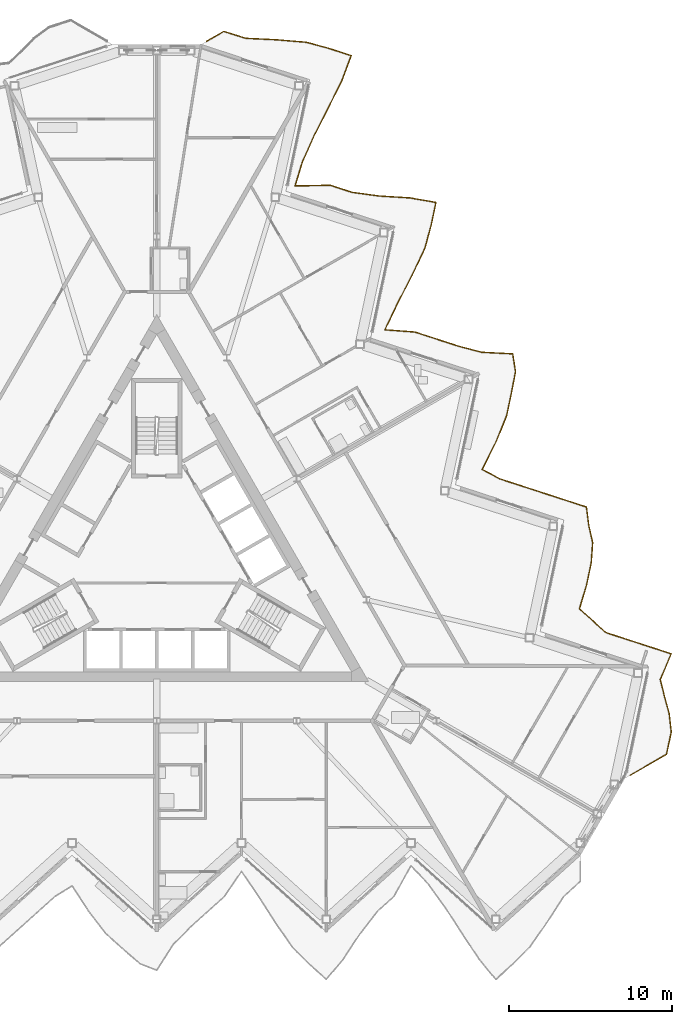
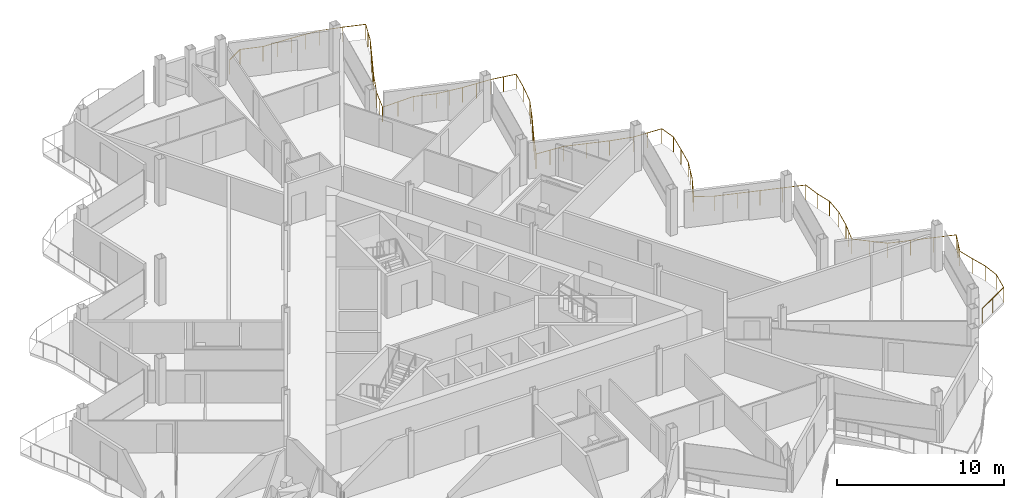
# One storey, part 25 of 27: 1 railing.
"""IFC4 building model written with IfcOpenShell, lengths in metres."""

from ifc_helpers import new_model, si_unit, direction, frame, origin, origin_2d, place, context, subcontext, project, spatial, circle, extrude, material, type_object, element, save


model = new_model("IFC4")

# Units and contexts
model_context = context("Model", 3, precision=1e-05, world=origin(), true_north=direction((0.0, 1.0)))
body_context = subcontext(model_context, "Body", "Model", "MODEL_VIEW")
ifc_project = project(units=[si_unit("LENGTHUNIT", "METRE"), si_unit("AREAUNIT", "SQUARE_METRE"), si_unit("VOLUMEUNIT", "CUBIC_METRE"), si_unit("PLANEANGLEUNIT", "RADIAN"), si_unit("MASSUNIT", "GRAM", prefix="KILO")], contexts=[model_context])

# Site, building, storey
site_placement = place(None, origin())
site = spatial("IfcSite", under=ifc_project, at=site_placement, CompositionType="ELEMENT")
building_placement = place(site_placement, origin())
building = spatial("IfcBuilding", under=site, at=building_placement, Name="Cormorant Prow Tower", CompositionType="ELEMENT")
storey_placement = place(building_placement, frame((0.0, 0.0, 361.0)))
storey = spatial("IfcBuildingStorey", under=building, at=storey_placement, Name="L80", CompositionType="ELEMENT", Elevation=361.0)

# Railing
ifc_material = material(Name="Aluminium 6063-T6", Category="aluminium")
railing_type = type_object("IfcRailingType", Name="Balcony guard 1100", PredefinedType="GUARDRAIL", material=ifc_material)
railing_placement = place(storey_placement, frame((29.0537109375, -13.248046875, 0.0)))
element("IfcRailing", 1, at=railing_placement, inside=storey, type_object=railing_type, Name="Balcony guard ENE", PredefinedType="GUARDRAIL", context=body_context, shape_type="SweptSolid", body=[
    extrude(circle(Radius=0.02392578125, at=origin_2d()), frame((0.0, 0.0, 1.076171875), z_axis=(0.866013163002, 0.500021201058, 0.0), x_axis=(-0.500021201058, 0.866013163002, 0.0)), (0.0, 0.0, 1.0), 2.5703125),
    extrude(circle(Radius=0.02392578125, at=origin_2d()), frame((2.225830078125, 1.28515625, 1.076171875), z_axis=(0.207944297815, 0.978140669335, 0.0), x_axis=(-0.978140669335, 0.207944297815, 0.0)), (0.0, 0.0, 1.0), 1.3994140625),
    extrude(circle(Radius=0.02392578125, at=origin_2d()), frame((2.516845703125, 2.654052734375, 1.076171875), z_axis=(-0.111446863874, 0.993770394273, 0.0), x_axis=(-0.993770394273, -0.111446863874, 0.0)), (0.0, 0.0, 1.0), 1.134765625),
    extrude(circle(Radius=0.02392578125, at=origin_2d()), frame((2.390380859375, 3.78173828125, 1.076171875), z_axis=(-0.265499582895, 0.964110974672, 0.0), x_axis=(-0.964110974672, -0.265499582895, 0.0)), (0.0, 0.0, 1.0), 1.074951171875),
    extrude(circle(Radius=0.02392578125, at=origin_2d()), frame((2.10498046875, 4.818115234375, 1.076171875), z_axis=(-0.240465072316, 0.97065779191, 0.0), x_axis=(-0.97065779191, -0.240465072316, 0.0)), (0.0, 0.0, 1.0), 1.082275390625),
    extrude(circle(Radius=0.02392578125, at=origin_2d()), frame((1.8447265625, 5.86865234375, 1.076171875), z_axis=(0.387606456265, 0.921824948166, 0.0), x_axis=(-0.921824948166, 0.387606456265, 0.0)), (0.0, 0.0, 1.0), 1.72021484375),
    extrude(circle(Radius=0.02392578125, at=origin_2d()), frame((2.511474609375, 7.454345703125, 1.076171875), z_axis=(-0.951028941009, 0.309101849499, 0.0), x_axis=(-0.309101849499, -0.951028941009, 0.0)), (0.0, 0.0, 1.0), 1.399658203125),
    extrude(circle(Radius=0.02392578125, at=origin_2d()), frame((1.180419921875, 7.886962890625, 1.076171875), z_axis=(-0.951063554534, 0.308995332064, 0.0), x_axis=(-0.308995332064, -0.951063554534, 0.0)), (0.0, 0.0, 1.0), 1.399169921875),
    extrude(circle(Radius=0.02392578125, at=origin_2d()), frame((-0.150390625, 8.3193359375, 1.076171875), z_axis=(-0.951028941009, 0.309101849499, 0.0), x_axis=(-0.309101849499, -0.951028941009, 0.0)), (0.0, 0.0, 1.0), 1.399658203125),
    extrude(circle(Radius=0.02392578125, at=origin_2d()), frame((-1.4814453125, 8.751953125, 1.076171875), z_axis=(-0.748465004578, 0.663174288496, 0.0), x_axis=(-0.663174288496, -0.748465004578, 0.0)), (0.0, 0.0, 1.0), 1.096435546875),
    extrude(circle(Radius=0.02392578125, at=origin_2d()), frame((-2.302001953125, 9.47900390625, 1.076171875), z_axis=(-0.746510864736, 0.665373225213, 0.0), x_axis=(-0.665373225213, -0.746510864736, 0.0)), (0.0, 0.0, 1.0), 1.09521484375),
    extrude(circle(Radius=0.02392578125, at=origin_2d()), frame((-3.11962890625, 10.207763671875, 1.076171875), z_axis=(0.287746499695, 0.957706610562, 0.0), x_axis=(-0.957706610562, 0.287746499695, 0.0)), (0.0, 0.0, 1.0), 1.51708984375),
    extrude(circle(Radius=0.02392578125, at=origin_2d()), frame((-2.68310546875, 11.66064453125, 1.076171875), z_axis=(0.20777738218, 0.978176139279, 0.0), x_axis=(-0.978176139279, 0.20777738218, 0.0)), (0.0, 0.0, 1.0), 1.3994140625),
    extrude(circle(Radius=0.02392578125, at=origin_2d()), frame((-2.392333984375, 13.029541015625, 1.076171875), z_axis=(0.06930989136, 0.997595177895, 0.0), x_axis=(-0.997595177895, 0.06930989136, 0.0)), (0.0, 0.0, 1.0), 1.25390625),
    extrude(circle(Radius=0.02392578125, at=origin_2d()), frame((-2.305419921875, 14.280517578125, 1.076171875), z_axis=(-0.222057343381, 0.975033607754, 0.0), x_axis=(-0.975033607754, -0.222057343381, 0.0)), (0.0, 0.0, 1.0), 1.08837890625),
    extrude(circle(Radius=0.02392578125, at=origin_2d()), frame((-2.547119140625, 15.341796875, 1.076171875), z_axis=(-0.125286334102, 0.992120624968, 0.0), x_axis=(-0.992120624968, -0.125286334102, 0.0)), (0.0, 0.0, 1.0), 1.128173828125),
    extrude(circle(Radius=0.02392578125, at=origin_2d()), frame((-2.6884765625, 16.461181640625, 1.076171875), z_axis=(-0.951080208938, 0.308944066403, 0.0), x_axis=(-0.308944066403, -0.951080208938, 0.0)), (0.0, 0.0, 1.0), 1.3994140625),
    extrude(circle(Radius=0.02392578125, at=origin_2d()), frame((-4.01953125, 16.8935546875, 1.076171875), z_axis=(-0.951063554534, 0.308995332064, 0.0), x_axis=(-0.308995332064, -0.951063554534, 0.0)), (0.0, 0.0, 1.0), 1.399169921875),
    extrude(circle(Radius=0.02392578125, at=origin_2d()), frame((-5.350341796875, 17.325927734375, 1.076171875), z_axis=(-0.951028941009, 0.309101849499, 0.0), x_axis=(-0.309101849499, -0.951028941009, 0.0)), (0.0, 0.0, 1.0), 1.399658203125),
    extrude(circle(Radius=0.02392578125, at=origin_2d()), frame((-6.681396484375, 17.758544921875, 1.076171875), z_axis=(-0.951080208938, 0.308944066403, 0.0), x_axis=(-0.308944066403, -0.951080208938, 0.0)), (0.0, 0.0, 1.0), 1.3994140625),
    extrude(circle(Radius=0.02392578125, at=origin_2d()), frame((-8.012451171875, 18.19091796875, 1.076171875), z_axis=(-0.880259311771, 0.474492933604, 0.0), x_axis=(-0.474492933604, -0.880259311771, 0.0)), (0.0, 0.0, 1.0), 1.221923828125),
    extrude(circle(Radius=0.02392578125, at=origin_2d()), frame((-9.088134765625, 18.770751953125, 1.076171875), z_axis=(0.451012966312, 0.892517397152, 0.0), x_axis=(-0.892517397152, 0.451012966312, 0.0)), (0.0, 0.0, 1.0), 1.89990234375),
    extrude(circle(Radius=0.02392578125, at=origin_2d()), frame((-8.231201171875, 20.466552734375, 1.076171875), z_axis=(0.377022296737, 0.926204182545, 0.0), x_axis=(-0.926204182545, 0.377022296737, 0.0)), (0.0, 0.0, 1.0), 1.694580078125),
    extrude(circle(Radius=0.02392578125, at=origin_2d()), frame((-7.59228515625, 22.0361328125, 1.076171875), z_axis=(0.207944297815, 0.978140669335, 0.0), x_axis=(-0.978140669335, 0.207944297815, 0.0)), (0.0, 0.0, 1.0), 1.3994140625),
    extrude(circle(Radius=0.02392578125, at=origin_2d()), frame((-7.30126953125, 23.405029296875, 1.076171875), z_axis=(0.18928822306, 0.98192156948, 0.0), x_axis=(-0.98192156948, 0.18928822306, 0.0)), (0.0, 0.0, 1.0), 1.376220703125),
    extrude(circle(Radius=0.02392578125, at=origin_2d()), frame((-7.040771484375, 24.75634765625, 1.076171875), z_axis=(-0.150874046864, 0.988552994018, 0.0), x_axis=(-0.988552994018, -0.150874046864, 0.0)), (0.0, 0.0, 1.0), 1.116455078125),
    extrude(circle(Radius=0.02392578125, at=origin_2d()), frame((-7.209228515625, 25.860107421875, 1.076171875), z_axis=(-0.998752021132, 0.049943971461, 0.0), x_axis=(-0.049943971461, -0.998752021132, 0.0)), (0.0, 0.0, 1.0), 1.916259765625),
    extrude(circle(Radius=0.02392578125, at=origin_2d()), frame((-9.123046875, 25.955810546875, 1.076171875), z_axis=(-0.966847067746, 0.255356119158, 0.0), x_axis=(-0.255356119158, -0.966847067746, 0.0)), (0.0, 0.0, 1.0), 1.47607421875),
    extrude(circle(Radius=0.02392578125, at=origin_2d()), frame((-10.55029296875, 26.332763671875, 1.076171875), z_axis=(-0.951080208938, 0.308944066403, 0.0), x_axis=(-0.308944066403, -0.951080208938, 0.0)), (0.0, 0.0, 1.0), 1.3994140625),
    extrude(circle(Radius=0.02392578125, at=origin_2d()), frame((-11.88134765625, 26.76513671875, 1.076171875), z_axis=(-0.951080208938, 0.308944066403, 0.0), x_axis=(-0.308944066403, -0.951080208938, 0.0)), (0.0, 0.0, 1.0), 1.3994140625),
    extrude(circle(Radius=0.02392578125, at=origin_2d()), frame((-13.21240234375, 27.197509765625, 1.076171875), z_axis=(-0.997206453657, 0.074694636924, 0.0), x_axis=(-0.074694636924, -0.997206453657, 0.0)), (0.0, 0.0, 1.0), 1.8466796875),
    extrude(circle(Radius=0.02392578125, at=origin_2d()), frame((-15.053955078125, 27.33544921875, 1.076171875), z_axis=(0.434157433131, 0.900837012593, 0.0), x_axis=(-0.900837012593, 0.434157433131, 0.0)), (0.0, 0.0, 1.0), 1.8466796875),
    extrude(circle(Radius=0.02392578125, at=origin_2d()), frame((-14.252197265625, 28.9990234375, 1.076171875), z_axis=(0.457304922398, 0.889309961684, 0.0), x_axis=(-0.889309961684, 0.457304922398, 0.0)), (0.0, 0.0, 1.0), 1.92041015625),
    extrude(circle(Radius=0.02392578125, at=origin_2d()), frame((-13.3740234375, 30.706787109375, 1.076171875), z_axis=(0.427552298794, 0.903990614883, 0.0), x_axis=(-0.903990614883, 0.427552298794, 0.0)), (0.0, 0.0, 1.0), 1.827880859375),
    extrude(circle(Radius=0.02392578125, at=origin_2d()), frame((-12.592529296875, 32.359130859375, 1.076171875), z_axis=(0.259747429895, 0.965676588027, 0.0), x_axis=(-0.965676588027, 0.259747429895, 0.0)), (0.0, 0.0, 1.0), 1.471923828125),
    extrude(circle(Radius=0.02392578125, at=origin_2d()), frame((-12.210205078125, 33.780517578125, 1.076171875), z_axis=(0.20777738218, 0.978176139279, 0.0), x_axis=(-0.978176139279, 0.20777738218, 0.0)), (0.0, 0.0, 1.0), 1.3994140625),
    extrude(circle(Radius=0.02392578125, at=origin_2d()), frame((-11.91943359375, 35.1494140625, 1.076171875), z_axis=(-0.985103249927, 0.171963911864, 0.0), x_axis=(-0.171963911864, -0.985103249927, 0.0)), (0.0, 0.0, 1.0), 1.621337890625),
    extrude(circle(Radius=0.02392578125, at=origin_2d()), frame((-13.5166015625, 35.42822265625, 1.076171875), z_axis=(-0.998135869432, 0.061031026159, 0.0), x_axis=(-0.061031026159, -0.998135869432, 0.0)), (0.0, 0.0, 1.0), 1.884033203125),
    extrude(circle(Radius=0.02392578125, at=origin_2d()), frame((-15.397216796875, 35.543212890625, 1.076171875), z_axis=(-0.990919116289, 0.134459306009, 0.0), x_axis=(-0.134459306009, -0.990919116289, 0.0)), (0.0, 0.0, 1.0), 1.699462890625),
    extrude(circle(Radius=0.02392578125, at=origin_2d()), frame((-17.081298828125, 35.771728515625, 1.076171875), z_axis=(-0.951028941009, 0.309101849499, 0.0), x_axis=(-0.309101849499, -0.951028941009, 0.0)), (0.0, 0.0, 1.0), 1.399658203125),
    extrude(circle(Radius=0.02392578125, at=origin_2d()), frame((-18.412353515625, 36.204345703125, 1.076171875), z_axis=(-0.99980550603, -0.019721818167, 0.0), x_axis=(0.019721818167, -0.99980550603, 0.0)), (0.0, 0.0, 1.0), 2.154052734375),
    extrude(circle(Radius=0.02392578125, at=origin_2d()), frame((-20.56591796875, 36.161865234375, 1.076171875), z_axis=(0.292104612401, 0.956386373499, 0.0), x_axis=(-0.956386373499, 0.292104612401, 0.0)), (0.0, 0.0, 1.0), 1.5244140625),
    extrude(circle(Radius=0.02392578125, at=origin_2d()), frame((-20.12060546875, 37.619873046875, 1.076171875), z_axis=(0.406509843318, 0.913646401671, 0.0), x_axis=(-0.913646401671, 0.406509843318, 0.0)), (0.0, 0.0, 1.0), 1.768798828125),
    extrude(circle(Radius=0.02392578125, at=origin_2d()), frame((-19.401611328125, 39.23583984375, 1.076171875), z_axis=(0.453699663288, 0.891154652982, 0.0), x_axis=(-0.891154652982, 0.453699663288, 0.0)), (0.0, 0.0, 1.0), 1.90869140625),
    extrude(circle(Radius=0.02392578125, at=origin_2d()), frame((-18.53564453125, 40.936767578125, 1.076171875), z_axis=(0.4472135955, 0.894427191, 0.0), x_axis=(-0.894427191, 0.4472135955, 0.0)), (0.0, 0.0, 1.0), 1.88720703125),
    extrude(circle(Radius=0.02392578125, at=origin_2d()), frame((-17.691650390625, 42.624755859375, 1.076171875), z_axis=(0.350026759088, 0.936739701263, 0.0), x_axis=(-0.936739701263, 0.350026759088, 0.0)), (0.0, 0.0, 1.0), 1.635009765625),
    extrude(circle(Radius=0.02392578125, at=origin_2d()), frame((-17.119384765625, 44.15625, 1.076171875), z_axis=(-0.951063554534, 0.308995332064, 0.0), x_axis=(-0.308995332064, -0.951063554534, 0.0)), (0.0, 0.0, 1.0), 1.399169921875),
    extrude(circle(Radius=0.02392578125, at=origin_2d()), frame((-18.4501953125, 44.588623046875, 1.076171875), z_axis=(-0.964404650795, 0.264430840723, 0.0), x_axis=(-0.264430840723, -0.964404650795, 0.0)), (0.0, 0.0, 1.0), 1.46240234375),
    extrude(circle(Radius=0.02392578125, at=origin_2d()), frame((-19.860595703125, 44.975341796875, 1.076171875), z_axis=(-0.996499406078, 0.083599842618, 0.0), x_axis=(-0.083599842618, -0.996499406078, 0.0)), (0.0, 0.0, 1.0), 1.822265625),
    extrude(circle(Radius=0.02392578125, at=origin_2d()), frame((-21.676513671875, 45.127685546875, 1.076171875), z_axis=(-0.998807214083, 0.048827749231, 0.0), x_axis=(-0.048827749231, -0.998807214083, 0.0)), (0.0, 0.0, 1.0), 1.919921875),
    extrude(circle(Radius=0.02392578125, at=origin_2d()), frame((-23.59423828125, 45.221435546875, 1.076171875), z_axis=(-0.954424643559, 0.298452005803, 0.0), x_axis=(-0.298452005803, -0.954424643559, 0.0)), (0.0, 0.0, 1.0), 1.41357421875),
    extrude(circle(Radius=0.02392578125, at=origin_2d()), frame((-24.943359375, 45.643310546875, 1.076171875), z_axis=(-0.866092288191, -0.499884134912, 0.0), x_axis=(0.499884134912, -0.866092288191, 0.0)), (0.0, 0.0, 1.0), 1.219970703125),
    extrude(circle(Radius=0.02099609375, at=origin_2d()), origin(), (0.0, 0.0, 1.0), 1.052001953125),
    extrude(circle(Radius=0.02099609375, at=origin_2d()), frame((1.11279296875, 0.642578125, 0.0)), (0.0, 0.0, 1.0), 1.052001953125),
    extrude(circle(Radius=0.02099609375, at=origin_2d()), frame((2.225830078125, 1.28515625, 0.0)), (0.0, 0.0, 1.0), 1.052001953125),
    extrude(circle(Radius=0.02099609375, at=origin_2d()), frame((2.516845703125, 2.654052734375, 0.0)), (0.0, 0.0, 1.0), 1.052001953125),
    extrude(circle(Radius=0.02099609375, at=origin_2d()), frame((2.390380859375, 3.78173828125, 0.0)), (0.0, 0.0, 1.0), 1.052001953125),
    extrude(circle(Radius=0.02099609375, at=origin_2d()), frame((2.10498046875, 4.818115234375, 0.0)), (0.0, 0.0, 1.0), 1.052001953125),
    extrude(circle(Radius=0.02099609375, at=origin_2d()), frame((1.8447265625, 5.86865234375, 0.0)), (0.0, 0.0, 1.0), 1.052001953125),
    extrude(circle(Radius=0.02099609375, at=origin_2d()), frame((2.17822265625, 6.66162109375, 0.0)), (0.0, 0.0, 1.0), 1.052001953125),
    extrude(circle(Radius=0.02099609375, at=origin_2d()), frame((2.511474609375, 7.454345703125, 0.0)), (0.0, 0.0, 1.0), 1.052001953125),
    extrude(circle(Radius=0.02099609375, at=origin_2d()), frame((1.180419921875, 7.886962890625, 0.0)), (0.0, 0.0, 1.0), 1.052001953125),
    extrude(circle(Radius=0.02099609375, at=origin_2d()), frame((-0.150390625, 8.3193359375, 0.0)), (0.0, 0.0, 1.0), 1.052001953125),
    extrude(circle(Radius=0.02099609375, at=origin_2d()), frame((-1.4814453125, 8.751953125, 0.0)), (0.0, 0.0, 1.0), 1.052001953125),
    extrude(circle(Radius=0.02099609375, at=origin_2d()), frame((-2.302001953125, 9.47900390625, 0.0)), (0.0, 0.0, 1.0), 1.052001953125),
    extrude(circle(Radius=0.02099609375, at=origin_2d()), frame((-3.11962890625, 10.207763671875, 0.0)), (0.0, 0.0, 1.0), 1.052001953125),
    extrude(circle(Radius=0.02099609375, at=origin_2d()), frame((-2.9013671875, 10.93408203125, 0.0)), (0.0, 0.0, 1.0), 1.052001953125),
    extrude(circle(Radius=0.02099609375, at=origin_2d()), frame((-2.68310546875, 11.66064453125, 0.0)), (0.0, 0.0, 1.0), 1.052001953125),
    extrude(circle(Radius=0.02099609375, at=origin_2d()), frame((-2.392333984375, 13.029541015625, 0.0)), (0.0, 0.0, 1.0), 1.052001953125),
    extrude(circle(Radius=0.02099609375, at=origin_2d()), frame((-2.305419921875, 14.280517578125, 0.0)), (0.0, 0.0, 1.0), 1.052001953125),
    extrude(circle(Radius=0.02099609375, at=origin_2d()), frame((-2.547119140625, 15.341796875, 0.0)), (0.0, 0.0, 1.0), 1.052001953125),
    extrude(circle(Radius=0.02099609375, at=origin_2d()), frame((-2.6884765625, 16.461181640625, 0.0)), (0.0, 0.0, 1.0), 1.052001953125),
    extrude(circle(Radius=0.02099609375, at=origin_2d()), frame((-4.01953125, 16.8935546875, 0.0)), (0.0, 0.0, 1.0), 1.052001953125),
    extrude(circle(Radius=0.02099609375, at=origin_2d()), frame((-5.350341796875, 17.325927734375, 0.0)), (0.0, 0.0, 1.0), 1.052001953125),
    extrude(circle(Radius=0.02099609375, at=origin_2d()), frame((-6.681396484375, 17.758544921875, 0.0)), (0.0, 0.0, 1.0), 1.052001953125),
    extrude(circle(Radius=0.02099609375, at=origin_2d()), frame((-8.012451171875, 18.19091796875, 0.0)), (0.0, 0.0, 1.0), 1.052001953125),
    extrude(circle(Radius=0.02099609375, at=origin_2d()), frame((-9.088134765625, 18.770751953125, 0.0)), (0.0, 0.0, 1.0), 1.052001953125),
    extrude(circle(Radius=0.02099609375, at=origin_2d()), frame((-8.65966796875, 19.61865234375, 0.0)), (0.0, 0.0, 1.0), 1.052001953125),
    extrude(circle(Radius=0.02099609375, at=origin_2d()), frame((-8.231201171875, 20.466552734375, 0.0)), (0.0, 0.0, 1.0), 1.052001953125),
    extrude(circle(Radius=0.02099609375, at=origin_2d()), frame((-7.91162109375, 21.25146484375, 0.0)), (0.0, 0.0, 1.0), 1.052001953125),
    extrude(circle(Radius=0.02099609375, at=origin_2d()), frame((-7.59228515625, 22.0361328125, 0.0)), (0.0, 0.0, 1.0), 1.052001953125),
    extrude(circle(Radius=0.02099609375, at=origin_2d()), frame((-7.30126953125, 23.405029296875, 0.0)), (0.0, 0.0, 1.0), 1.052001953125),
    extrude(circle(Radius=0.02099609375, at=origin_2d()), frame((-7.040771484375, 24.75634765625, 0.0)), (0.0, 0.0, 1.0), 1.052001953125),
    extrude(circle(Radius=0.02099609375, at=origin_2d()), frame((-7.209228515625, 25.860107421875, 0.0)), (0.0, 0.0, 1.0), 1.052001953125),
    extrude(circle(Radius=0.02099609375, at=origin_2d()), frame((-8.166015625, 25.907958984375, 0.0)), (0.0, 0.0, 1.0), 1.052001953125),
    extrude(circle(Radius=0.02099609375, at=origin_2d()), frame((-9.123046875, 25.955810546875, 0.0)), (0.0, 0.0, 1.0), 1.052001953125),
    extrude(circle(Radius=0.02099609375, at=origin_2d()), frame((-10.55029296875, 26.332763671875, 0.0)), (0.0, 0.0, 1.0), 1.052001953125),
    extrude(circle(Radius=0.02099609375, at=origin_2d()), frame((-11.88134765625, 26.76513671875, 0.0)), (0.0, 0.0, 1.0), 1.052001953125),
    extrude(circle(Radius=0.02099609375, at=origin_2d()), frame((-13.21240234375, 27.197509765625, 0.0)), (0.0, 0.0, 1.0), 1.052001953125),
    extrude(circle(Radius=0.02099609375, at=origin_2d()), frame((-14.13330078125, 27.2666015625, 0.0)), (0.0, 0.0, 1.0), 1.052001953125),
    extrude(circle(Radius=0.02099609375, at=origin_2d()), frame((-15.053955078125, 27.33544921875, 0.0)), (0.0, 0.0, 1.0), 1.052001953125),
    extrude(circle(Radius=0.02099609375, at=origin_2d()), frame((-14.653076171875, 28.167236328125, 0.0)), (0.0, 0.0, 1.0), 1.052001953125),
    extrude(circle(Radius=0.02099609375, at=origin_2d()), frame((-14.252197265625, 28.9990234375, 0.0)), (0.0, 0.0, 1.0), 1.052001953125),
    extrude(circle(Radius=0.02099609375, at=origin_2d()), frame((-13.81298828125, 29.85302734375, 0.0)), (0.0, 0.0, 1.0), 1.052001953125),
    extrude(circle(Radius=0.02099609375, at=origin_2d()), frame((-13.3740234375, 30.706787109375, 0.0)), (0.0, 0.0, 1.0), 1.052001953125),
    extrude(circle(Radius=0.02099609375, at=origin_2d()), frame((-12.9833984375, 31.532958984375, 0.0)), (0.0, 0.0, 1.0), 1.052001953125),
    extrude(circle(Radius=0.02099609375, at=origin_2d()), frame((-12.592529296875, 32.359130859375, 0.0)), (0.0, 0.0, 1.0), 1.052001953125),
    extrude(circle(Radius=0.02099609375, at=origin_2d()), frame((-12.210205078125, 33.780517578125, 0.0)), (0.0, 0.0, 1.0), 1.052001953125),
    extrude(circle(Radius=0.02099609375, at=origin_2d()), frame((-11.91943359375, 35.1494140625, 0.0)), (0.0, 0.0, 1.0), 1.052001953125),
    extrude(circle(Radius=0.02099609375, at=origin_2d()), frame((-12.718017578125, 35.288818359375, 0.0)), (0.0, 0.0, 1.0), 1.052001953125),
    extrude(circle(Radius=0.02099609375, at=origin_2d()), frame((-13.5166015625, 35.42822265625, 0.0)), (0.0, 0.0, 1.0), 1.052001953125),
    extrude(circle(Radius=0.02099609375, at=origin_2d()), frame((-14.45703125, 35.48583984375, 0.0)), (0.0, 0.0, 1.0), 1.052001953125),
    extrude(circle(Radius=0.02099609375, at=origin_2d()), frame((-15.397216796875, 35.543212890625, 0.0)), (0.0, 0.0, 1.0), 1.052001953125),
    extrude(circle(Radius=0.02099609375, at=origin_2d()), frame((-16.2392578125, 35.657470703125, 0.0)), (0.0, 0.0, 1.0), 1.052001953125),
    extrude(circle(Radius=0.02099609375, at=origin_2d()), frame((-17.081298828125, 35.771728515625, 0.0)), (0.0, 0.0, 1.0), 1.052001953125),
    extrude(circle(Radius=0.02099609375, at=origin_2d()), frame((-18.412353515625, 36.204345703125, 0.0)), (0.0, 0.0, 1.0), 1.052001953125),
    extrude(circle(Radius=0.02099609375, at=origin_2d()), frame((-19.4892578125, 36.18310546875, 0.0)), (0.0, 0.0, 1.0), 1.052001953125),
    extrude(circle(Radius=0.02099609375, at=origin_2d()), frame((-20.56591796875, 36.161865234375, 0.0)), (0.0, 0.0, 1.0), 1.052001953125),
    extrude(circle(Radius=0.02099609375, at=origin_2d()), frame((-20.34326171875, 36.890869140625, 0.0)), (0.0, 0.0, 1.0), 1.052001953125),
    extrude(circle(Radius=0.02099609375, at=origin_2d()), frame((-20.12060546875, 37.619873046875, 0.0)), (0.0, 0.0, 1.0), 1.052001953125),
    extrude(circle(Radius=0.02099609375, at=origin_2d()), frame((-19.76123046875, 38.427734375, 0.0)), (0.0, 0.0, 1.0), 1.052001953125),
    extrude(circle(Radius=0.02099609375, at=origin_2d()), frame((-19.401611328125, 39.23583984375, 0.0)), (0.0, 0.0, 1.0), 1.052001953125),
    extrude(circle(Radius=0.02099609375, at=origin_2d()), frame((-18.96875, 40.08642578125, 0.0)), (0.0, 0.0, 1.0), 1.052001953125),
    extrude(circle(Radius=0.02099609375, at=origin_2d()), frame((-18.53564453125, 40.936767578125, 0.0)), (0.0, 0.0, 1.0), 1.052001953125),
    extrude(circle(Radius=0.02099609375, at=origin_2d()), frame((-18.11376953125, 41.78076171875, 0.0)), (0.0, 0.0, 1.0), 1.052001953125),
    extrude(circle(Radius=0.02099609375, at=origin_2d()), frame((-17.691650390625, 42.624755859375, 0.0)), (0.0, 0.0, 1.0), 1.052001953125),
    extrude(circle(Radius=0.02099609375, at=origin_2d()), frame((-17.405517578125, 43.390625, 0.0)), (0.0, 0.0, 1.0), 1.052001953125),
    extrude(circle(Radius=0.02099609375, at=origin_2d()), frame((-17.119384765625, 44.15625, 0.0)), (0.0, 0.0, 1.0), 1.052001953125),
    extrude(circle(Radius=0.02099609375, at=origin_2d()), frame((-18.4501953125, 44.588623046875, 0.0)), (0.0, 0.0, 1.0), 1.052001953125),
    extrude(circle(Radius=0.02099609375, at=origin_2d()), frame((-19.860595703125, 44.975341796875, 0.0)), (0.0, 0.0, 1.0), 1.052001953125),
    extrude(circle(Radius=0.02099609375, at=origin_2d()), frame((-20.7685546875, 45.051513671875, 0.0)), (0.0, 0.0, 1.0), 1.052001953125),
    extrude(circle(Radius=0.02099609375, at=origin_2d()), frame((-21.676513671875, 45.127685546875, 0.0)), (0.0, 0.0, 1.0), 1.052001953125),
    extrude(circle(Radius=0.02099609375, at=origin_2d()), frame((-22.63525390625, 45.174560546875, 0.0)), (0.0, 0.0, 1.0), 1.052001953125),
    extrude(circle(Radius=0.02099609375, at=origin_2d()), frame((-23.59423828125, 45.221435546875, 0.0)), (0.0, 0.0, 1.0), 1.052001953125),
    extrude(circle(Radius=0.02099609375, at=origin_2d()), frame((-24.943359375, 45.643310546875, 0.0)), (0.0, 0.0, 1.0), 1.052001953125),
    extrude(circle(Radius=0.02099609375, at=origin_2d()), frame((-26.0, 45.033447265625, 0.0)), (0.0, 0.0, 1.0), 1.052001953125),
])

save(model, "model.ifc")
